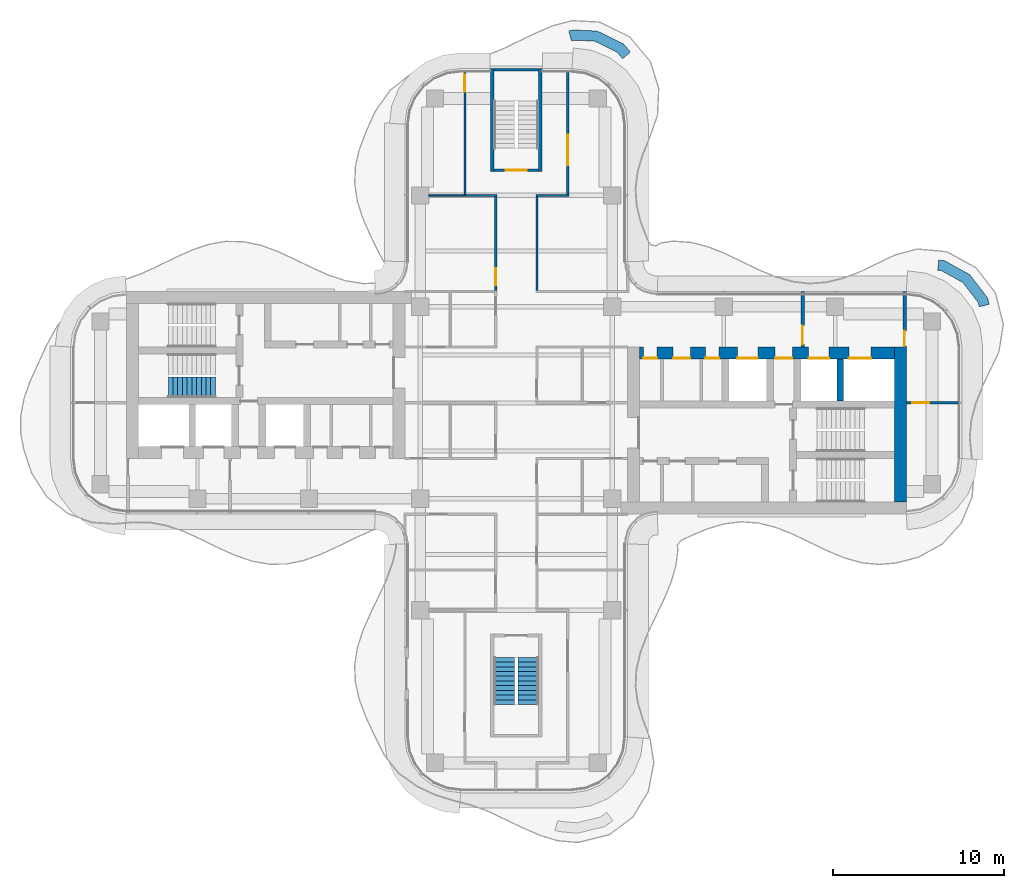
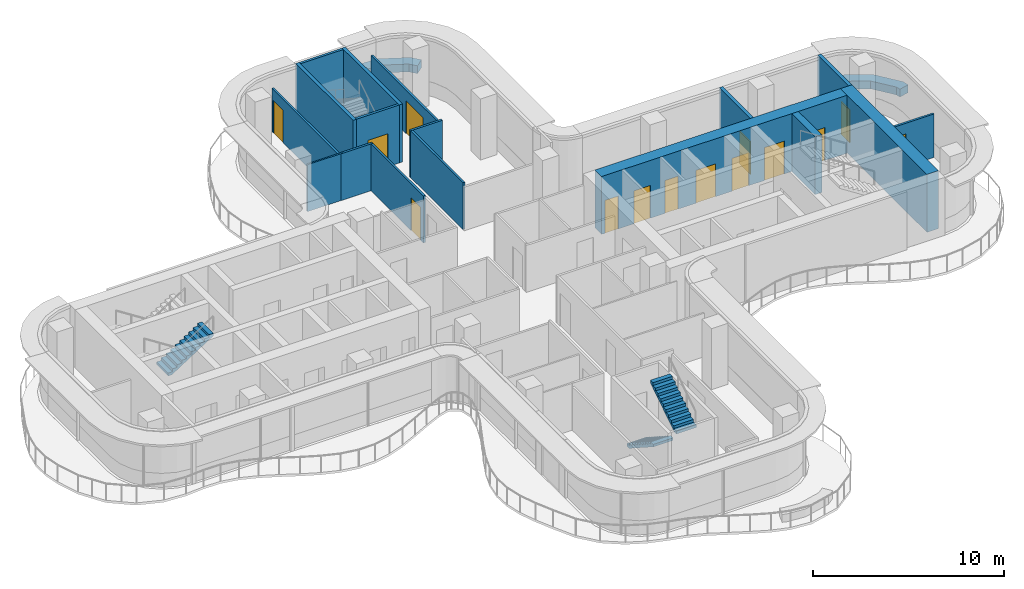
# One storey, part 13 of 16: 19 walls, 14 doors, 3 stair flights, 14 openings, 2 elements without a shape of their own.
"""IFC4 building model written with IfcOpenShell, lengths in metres."""

from ifc_helpers import new_model, si_unit, direction, frame, frame_2d, origin, place, context, subcontext, project, spatial, polyline, rectangle, outline, extrude, source, transform, mapped, material, layer, layer_set, type_object, element, fill, aggregate, save


model = new_model("IFC4")

# Units and contexts
model_context = context("Model", 3, precision=1e-05, world=origin(), true_north=direction((0.0, 1.0)))
body_context = subcontext(model_context, "Body", "Model", "MODEL_VIEW")
ifc_project = project(units=[si_unit("LENGTHUNIT", "METRE"), si_unit("AREAUNIT", "SQUARE_METRE"), si_unit("VOLUMEUNIT", "CUBIC_METRE"), si_unit("PLANEANGLEUNIT", "RADIAN"), si_unit("MASSUNIT", "GRAM", prefix="KILO")], contexts=[model_context])

# Site, building, storey
site_placement = place(None, origin())
site = spatial("IfcSite", under=ifc_project, at=site_placement, CompositionType="ELEMENT")
building_placement = place(site_placement, origin())
building = spatial("IfcBuilding", under=site, at=building_placement, Name="Trellis Farm Tower", CompositionType="ELEMENT")
storey_placement = place(building_placement, frame((0.0, 0.0, 306.699951171875)))
storey = spatial("IfcBuildingStorey", under=building, at=storey_placement, Name="L69", CompositionType="ELEMENT", Elevation=306.699951171875)

# Walls
ifc_material_1 = material(Name="Sandstone faced masonry planter", Category="masonry")
ifc_layer_1 = layer(ifc_material_1, 0.60009765625)
ifc_layer_set_1 = layer_set([ifc_layer_1], Name="PLANTER BED 600")
wall_type_1 = type_object("IfcWallType", Name="PLANTER BED 600", PredefinedType="USERDEFINED", material=ifc_layer_set_1)
placement = place(storey_placement, origin())
element("IfcWall", 1, at=placement, inside=storey, type_object=wall_type_1, Name="PLANTER bed", ObjectType="PLANTER", PredefinedType="USERDEFINED", context=body_context, shape_type="SweptSolid", body=[
    extrude(outline(polyline([(3.291748046875, 21.752197265625), (4.723388671875, 21.68701171875), (6.259521484375, 20.930419921875), (6.65771484375, 20.461181640625), (6.200439453125, 20.07275390625), (5.882568359375, 20.447021484375), (4.57080078125, 21.09326171875), (3.3583984375, 21.148681640625), (3.218017578125, 21.110595703125), (3.060546875, 21.689453125), (3.291748046875, 21.752197265625)])), origin(), (0.0, 0.0, 1.0), 0.5),
])
element("IfcWall", 2, at=placement, inside=storey, type_object=wall_type_1, Name="PLANTER bed", ObjectType="PLANTER", PredefinedType="USERDEFINED", context=body_context, shape_type="SweptSolid", body=[
    extrude(outline(polyline([(26.451171875, 7.477783203125), (27.491455078125, 6.126708984375), (27.58349609375, 5.740234375), (26.99951171875, 5.601318359375), (26.9375, 5.86279296875), (26.0517578125, 7.01318359375), (24.80859375, 7.701416015625), (24.580322265625, 7.724853515625), (24.64208984375, 8.32177734375), (24.991943359375, 8.28564453125), (26.451171875, 7.477783203125)])), origin(), (0.0, 0.0, 1.0), 0.5),
])
ifc_material_2 = material(Name="Concrete C50/60", Category="concrete")
ifc_layer_2 = layer(ifc_material_2, 0.699951171875)
ifc_layer_set_2 = layer_set([ifc_layer_2], Name="CORE OUTER WALL 700 CONCRETE C50/60")
wall_type_2 = type_object("IfcWallType", Name="CORE OUTER WALL 700 CONCRETE C50/60", PredefinedType="SHEAR", material=ifc_layer_set_2)
shared_shape_1 = source(origin(), body_context, "Body", "SweptSolid", [
    extrude(rectangle(XDim=9.050048828125, YDim=0.699951171875, at=frame_2d((4.52490234375, 0.0))), origin(), (0.0, 0.0, 1.0), 3.699951171875),
])
wall_3_placement = place(storey_placement, frame((22.39990234375, -5.800048828125, 0.0), z_axis=(0.0, 0.0, 1.0), x_axis=(0.0, 1.0, 0.0)))
element("IfcWall", 3, at=wall_3_placement, inside=storey, type_object=wall_type_2, Name="Core wall", PredefinedType="SHEAR", context=body_context, shape_type="MappedRepresentation", body=[
    mapped(shared_shape_1, transform((0.0, 0.0, 0.0))),
])
ifc_layer_3 = layer(ifc_material_2, 0.39990234375)
ifc_layer_set_3 = layer_set([ifc_layer_3], Name="CORE INNER WALL 400 CONCRETE C50/60")
wall_type_3 = type_object("IfcWallType", Name="CORE INNER WALL 400 CONCRETE C50/60", PredefinedType="SHEAR", material=ifc_layer_set_3)
shared_shape_2 = source(origin(), body_context, "Body", "SweptSolid", [
    extrude(rectangle(XDim=2.449951171875, YDim=0.39990234375, at=frame_2d((1.22509765625, 0.0))), origin(), (0.0, 0.0, 1.0), 3.699951171875),
])
wall_4_placement = place(storey_placement, frame((18.89990234375, 0.10009765625, 0.0), z_axis=(0.0, 0.0, 1.0), x_axis=(0.0, 1.0, 0.0)))
element("IfcWall", 4, at=wall_4_placement, inside=storey, type_object=wall_type_3, Name="Core wall", PredefinedType="SHEAR", context=body_context, shape_type="MappedRepresentation", body=[
    mapped(shared_shape_2, transform((0.0, 0.0, 0.0))),
])

# Wall, opening, door
ifc_material_3 = material(Name="Masonry blockwork", Category="masonry")
ifc_layer_4 = layer(ifc_material_3, 0.199951171875)
ifc_layer_set_4 = layer_set([ifc_layer_4], Name="FIRE LOBBY PARTITION 200 BLOCKWORK")
wall_type_4 = type_object("IfcWallType", Name="FIRE LOBBY PARTITION 200 BLOCKWORK", PredefinedType="PARTITIONING", material=ifc_layer_set_4)
shared_shape_3 = source(origin(), body_context, "Body", "SweptSolid", [
    extrude(rectangle(XDim=3.25, YDim=0.199951171875, at=frame_2d((1.625, 0.0))), origin(), (0.0, 0.0, 1.0), 3.699951171875),
])
wall_5_placement = place(storey_placement, frame((16.699951171875, 3.25, 0.0), z_axis=(0.0, 0.0, 1.0), x_axis=(0.0, 1.0, 0.0)))
wall_5 = element("IfcWall", 5, at=wall_5_placement, inside=storey, type_object=wall_type_4, Name="Fire-fighting lobby partition", PredefinedType="PARTITIONING", context=body_context, shape_type="MappedRepresentation", body=[
    mapped(shared_shape_3, transform((0.0, 0.0, 0.0))),
])
shared_shape_4 = source(origin(), body_context, "Body", "SweptSolid", [
    extrude(rectangle(XDim=1.10009765625, YDim=2.10009765625, at=frame_2d((0.550048828125, 1.050048828125))), frame((0.0, 0.110107421875, 0.0), z_axis=(0.0, -1.0, 0.0), x_axis=(1.0, 0.0, 0.0)), (0.0, 0.0, 1.0), 0.22021484375),
])
opening_1_placement = place(wall_5_placement, frame((0.14990234375, 0.0, 0.0)))
opening_1 = element("IfcOpeningElement", 6, at=opening_1_placement, cuts=wall_5, Name="Opening DC7", PredefinedType="OPENING", context=body_context, shape_type="MappedRepresentation", body=[
    mapped(shared_shape_4, transform((0.0, 0.0, 0.0))),
])
ifc_material_4 = material(Name="Steel", Category="steel")
door_type_1 = type_object("IfcDoorType", Name="CORE FIRE DOOR 1100 X 2100", OperationType="NOTDEFINED", PredefinedType="DOOR", material=ifc_material_4)
shared_shape_5 = source(origin(), body_context, "Body", "SweptSolid", [
    extrude(rectangle(XDim=1.10009765625, YDim=2.10009765625, at=frame_2d((0.550048828125, 1.050048828125))), frame((0.0, 0.02490234375, 0.0), z_axis=(0.0, -1.0, 0.0), x_axis=(1.0, 0.0, 0.0)), (0.0, 0.0, 1.0), 0.050048828125),
])
door_1_placement = place(opening_1_placement, origin())
door_1 = element("IfcDoor", 7, at=door_1_placement, inside=storey, type_object=door_type_1, Name="Core door", OperationType="SINGLE_SWING_RIGHT", OverallHeight=2.10009765625, OverallWidth=1.10009765625, PredefinedType="DOOR", context=body_context, shape_type="MappedRepresentation", body=[
    mapped(shared_shape_5, transform((0.0, 0.0, 0.0))),
])
fill(opening_1, door_1)

wall_6_placement = place(storey_placement, frame((22.64990234375, 3.25, 0.0), z_axis=(0.0, 0.0, 1.0), x_axis=(0.0, 1.0, 0.0)))
wall_6 = element("IfcWall", 8, at=wall_6_placement, inside=storey, type_object=wall_type_4, Name="Fire-fighting lobby partition", PredefinedType="PARTITIONING", context=body_context, shape_type="MappedRepresentation", body=[
    mapped(shared_shape_3, transform((0.0, 0.0, 0.0))),
])
shared_shape_6 = source(origin(), body_context, "Body", "SweptSolid", [
    extrude(rectangle(XDim=0.89990234375, YDim=2.10009765625, at=frame_2d((0.449951171875, 1.050048828125))), frame((0.0, 0.110107421875, 0.0), z_axis=(0.0, -1.0, 0.0), x_axis=(1.0, 0.0, 0.0)), (0.0, 0.0, 1.0), 0.22021484375),
])
opening_2_placement = place(wall_6_placement, frame((0.050048828125, 0.0, 0.0)))
opening_2 = element("IfcOpeningElement", 9, at=opening_2_placement, cuts=wall_6, Name="Opening DC8", PredefinedType="OPENING", context=body_context, shape_type="MappedRepresentation", body=[
    mapped(shared_shape_6, transform((0.0, 0.0, 0.0))),
])
door_type_2 = type_object("IfcDoorType", Name="CORE FIRE DOOR 900 X 2100", OperationType="NOTDEFINED", PredefinedType="DOOR", material=ifc_material_4)
shared_shape_7 = source(origin(), body_context, "Body", "SweptSolid", [
    extrude(rectangle(XDim=0.89990234375, YDim=2.10009765625, at=frame_2d((0.449951171875, 1.050048828125))), frame((0.0, 0.02490234375, 0.0), z_axis=(0.0, -1.0, 0.0), x_axis=(1.0, 0.0, 0.0)), (0.0, 0.0, 1.0), 0.050048828125),
])
door_2_placement = place(opening_2_placement, origin())
door_2 = element("IfcDoor", 10, at=door_2_placement, inside=storey, type_object=door_type_2, Name="Core door", OperationType="SINGLE_SWING_RIGHT", OverallHeight=2.10009765625, OverallWidth=0.89990234375, PredefinedType="DOOR", context=body_context, shape_type="MappedRepresentation", body=[
    mapped(shared_shape_7, transform((0.0, 0.0, 0.0))),
])
fill(opening_2, door_2)

# Wall, openings, doors
shared_shape_8 = source(origin(), body_context, "Body", "SweptSolid", [
    extrude(rectangle(XDim=14.85009765625, YDim=0.699951171875, at=frame_2d((7.425048828125, 0.0))), origin(), (0.0, 0.0, 1.0), 3.699951171875),
])
wall_7_placement = place(storey_placement, frame((7.199951171875, 2.89990234375, 0.0), z_axis=(0.0, 0.0, 1.0), x_axis=(1.0, 0.0, 0.0)))
wall_7 = element("IfcWall", 11, at=wall_7_placement, inside=storey, type_object=wall_type_2, Name="Core wall", PredefinedType="SHEAR", context=body_context, shape_type="MappedRepresentation", body=[
    mapped(shared_shape_8, transform((0.0, 0.0, 0.0))),
])
shared_shape_9 = source(origin(), body_context, "Body", "SweptSolid", [
    extrude(rectangle(XDim=1.199951171875, YDim=2.10009765625, at=frame_2d((0.60009765625, 1.050048828125))), frame((0.0, 0.360107421875, 0.0), z_axis=(0.0, -1.0, 0.0), x_axis=(1.0, 0.0, 0.0)), (0.0, 0.0, 1.0), 0.72021484375),
])
opening_3_placement = place(wall_7_placement, frame((5.699951171875, 0.0, 0.0)))
opening_3 = element("IfcOpeningElement", 12, at=opening_3_placement, cuts=wall_7, Name="Opening LD6", PredefinedType="OPENING", context=body_context, shape_type="MappedRepresentation", body=[
    mapped(shared_shape_9, transform((0.0, 0.0, 0.0))),
])
shared_shape_10 = source(origin(), body_context, "Body", "SweptSolid", [
    extrude(rectangle(XDim=1.300048828125, YDim=2.10009765625, at=frame_2d((0.64990234375, 1.050048828125))), frame((0.0, 0.360107421875, 0.0), z_axis=(0.0, -1.0, 0.0), x_axis=(1.0, 0.0, 0.0)), (0.0, 0.0, 1.0), 0.72021484375),
])
opening_4_placement = place(wall_7_placement, frame((12.199951171875, 0.0, 0.0)))
opening_4 = element("IfcOpeningElement", 13, at=opening_4_placement, cuts=wall_7, Name="Opening LD7", PredefinedType="OPENING", context=body_context, shape_type="MappedRepresentation", body=[
    mapped(shared_shape_10, transform((0.0, 0.0, 0.0))),
])
opening_5_placement = place(wall_7_placement, frame((9.85009765625, 0.0, 0.0)))
opening_5 = element("IfcOpeningElement", 14, at=opening_5_placement, cuts=wall_7, Name="Opening LD8", PredefinedType="OPENING", context=body_context, shape_type="MappedRepresentation", body=[
    mapped(shared_shape_9, transform((0.0, 0.0, 0.0))),
])
shared_shape_11 = source(origin(), body_context, "Body", "SweptSolid", [
    extrude(rectangle(XDim=1.0, YDim=2.10009765625, at=frame_2d((0.5, 1.050048828125))), frame((0.0, 0.360107421875, 0.0), z_axis=(0.0, -1.0, 0.0), x_axis=(1.0, 0.0, 0.0)), (0.0, 0.0, 1.0), 0.72021484375),
])
opening_6_placement = place(wall_7_placement, frame((7.89990234375, 0.0, 0.0)))
opening_6 = element("IfcOpeningElement", 15, at=opening_6_placement, cuts=wall_7, Name="Opening DC6", PredefinedType="OPENING", context=body_context, shape_type="MappedRepresentation", body=[
    mapped(shared_shape_11, transform((0.0, 0.0, 0.0))),
])
shared_shape_12 = source(origin(), body_context, "Body", "SweptSolid", [
    extrude(rectangle(XDim=0.800048828125, YDim=2.10009765625, at=frame_2d((0.39990234375, 1.050048828125))), frame((0.0, 0.360107421875, 0.0), z_axis=(0.0, -1.0, 0.0), x_axis=(1.0, 0.0, 0.0)), (0.0, 0.0, 1.0), 0.72021484375),
])
opening_7_placement = place(wall_7_placement, frame((0.21240234375, 0.0, 0.0)))
opening_7 = element("IfcOpeningElement", 16, at=opening_7_placement, cuts=wall_7, Name="Opening DC10", PredefinedType="OPENING", context=body_context, shape_type="MappedRepresentation", body=[
    mapped(shared_shape_12, transform((0.0, 0.0, 0.0))),
])
opening_8_placement = place(wall_7_placement, frame((1.949951171875, 0.0, 0.0)))
opening_8 = element("IfcOpeningElement", 17, at=opening_8_placement, cuts=wall_7, Name="Opening DC19", PredefinedType="OPENING", context=body_context, shape_type="MappedRepresentation", body=[
    mapped(shared_shape_11, transform((0.0, 0.0, 0.0))),
])
opening_9_placement = place(wall_7_placement, frame((3.83740234375, 0.0, 0.0)))
opening_9 = element("IfcOpeningElement", 18, at=opening_9_placement, cuts=wall_7, Name="Opening DC22", PredefinedType="OPENING", context=body_context, shape_type="MappedRepresentation", body=[
    mapped(shared_shape_12, transform((0.0, 0.0, 0.0))),
])
door_type_3 = type_object("IfcDoorType", Name="CORE FIRE DOOR 1000 X 2100", OperationType="NOTDEFINED", PredefinedType="DOOR", material=ifc_material_4)
shared_shape_13 = source(origin(), body_context, "Body", "SweptSolid", [
    extrude(rectangle(XDim=1.0, YDim=2.10009765625, at=frame_2d((0.5, 1.050048828125))), frame((0.0, -0.27490234375, 0.0), z_axis=(0.0, -1.0, 0.0), x_axis=(1.0, 0.0, 0.0)), (0.0, 0.0, 1.0), 0.050048828125),
])
door_3_placement = place(opening_6_placement, origin())
door_3 = element("IfcDoor", 19, at=door_3_placement, inside=storey, type_object=door_type_3, Name="Core door", OperationType="SINGLE_SWING_LEFT", OverallHeight=2.10009765625, OverallWidth=1.0, PredefinedType="DOOR", context=body_context, shape_type="MappedRepresentation", body=[
    mapped(shared_shape_13, transform((0.0, 0.0, 0.0))),
])
fill(opening_6, door_3)
door_4_placement = place(opening_8_placement, origin())
door_4 = element("IfcDoor", 20, at=door_4_placement, inside=storey, type_object=door_type_3, Name="Core door", OperationType="SINGLE_SWING_LEFT", OverallHeight=2.10009765625, OverallWidth=1.0, PredefinedType="DOOR", context=body_context, shape_type="MappedRepresentation", body=[
    mapped(shared_shape_13, transform((0.0, 0.0, 0.0))),
])
fill(opening_8, door_4)
ifc_material_5 = material(Name="Stainless steel", Category="steel")
door_type_4 = type_object("IfcDoorType", Name="LIFT LANDING DOOR 1300 X 2100", OperationType="DOUBLE_DOOR_SLIDING", PredefinedType="DOOR", material=ifc_material_5)
shared_shape_14 = source(origin(), body_context, "Body", "SweptSolid", [
    extrude(rectangle(XDim=1.300048828125, YDim=2.10009765625, at=frame_2d((0.64990234375, 1.050048828125))), frame((0.0, -0.27490234375, 0.0), z_axis=(0.0, -1.0, 0.0), x_axis=(1.0, 0.0, 0.0)), (0.0, 0.0, 1.0), 0.050048828125),
])
door_5_placement = place(opening_4_placement, origin())
door_5 = element("IfcDoor", 21, at=door_5_placement, inside=storey, type_object=door_type_4, Name="Lift landing door", OperationType="DOUBLE_DOOR_SLIDING", OverallHeight=2.10009765625, OverallWidth=1.300048828125, PredefinedType="DOOR", context=body_context, shape_type="MappedRepresentation", body=[
    mapped(shared_shape_14, transform((0.0, 0.0, 0.0))),
])
fill(opening_4, door_5)
door_type_5 = type_object("IfcDoorType", Name="LIFT LANDING DOOR 1200 X 2100", OperationType="DOUBLE_DOOR_SLIDING", PredefinedType="DOOR", material=ifc_material_5)
shared_shape_15 = source(origin(), body_context, "Body", "SweptSolid", [
    extrude(rectangle(XDim=1.199951171875, YDim=2.10009765625, at=frame_2d((0.60009765625, 1.050048828125))), frame((0.0, -0.27490234375, 0.0), z_axis=(0.0, -1.0, 0.0), x_axis=(1.0, 0.0, 0.0)), (0.0, 0.0, 1.0), 0.050048828125),
])
door_6_placement = place(opening_3_placement, origin())
door_6 = element("IfcDoor", 22, at=door_6_placement, inside=storey, type_object=door_type_5, Name="Lift landing door", OperationType="DOUBLE_DOOR_SLIDING", OverallHeight=2.10009765625, OverallWidth=1.199951171875, PredefinedType="DOOR", context=body_context, shape_type="MappedRepresentation", body=[
    mapped(shared_shape_15, transform((0.0, 0.0, 0.0))),
])
fill(opening_3, door_6)
door_7_placement = place(opening_5_placement, origin())
door_7 = element("IfcDoor", 23, at=door_7_placement, inside=storey, type_object=door_type_5, Name="Lift landing door", OperationType="DOUBLE_DOOR_SLIDING", OverallHeight=2.10009765625, OverallWidth=1.199951171875, PredefinedType="DOOR", context=body_context, shape_type="MappedRepresentation", body=[
    mapped(shared_shape_15, transform((0.0, 0.0, 0.0))),
])
fill(opening_5, door_7)
door_type_6 = type_object("IfcDoorType", Name="CORE FIRE DOOR 800 X 2100", OperationType="NOTDEFINED", PredefinedType="DOOR", material=ifc_material_4)
shared_shape_16 = source(origin(), body_context, "Body", "SweptSolid", [
    extrude(rectangle(XDim=0.800048828125, YDim=2.10009765625, at=frame_2d((0.39990234375, 1.050048828125))), frame((0.0, -0.27490234375, 0.0), z_axis=(0.0, -1.0, 0.0), x_axis=(1.0, 0.0, 0.0)), (0.0, 0.0, 1.0), 0.050048828125),
])
door_8_placement = place(opening_7_placement, origin())
door_8 = element("IfcDoor", 24, at=door_8_placement, inside=storey, type_object=door_type_6, Name="Core door", OperationType="SINGLE_SWING_RIGHT", OverallHeight=2.10009765625, OverallWidth=0.800048828125, PredefinedType="DOOR", context=body_context, shape_type="MappedRepresentation", body=[
    mapped(shared_shape_16, transform((0.0, 0.0, 0.0))),
])
fill(opening_7, door_8)
door_9_placement = place(opening_9_placement, origin())
door_9 = element("IfcDoor", 25, at=door_9_placement, inside=storey, type_object=door_type_6, Name="Core door", OperationType="SINGLE_SWING_RIGHT", OverallHeight=2.10009765625, OverallWidth=0.800048828125, PredefinedType="DOOR", context=body_context, shape_type="MappedRepresentation", body=[
    mapped(shared_shape_16, transform((0.0, 0.0, 0.0))),
])
fill(opening_9, door_9)

# Walls
ifc_layer_5 = layer(ifc_material_2, 0.199951171875)
ifc_layer_set_5 = layer_set([ifc_layer_5], Name="CORE STAIR ENCLOSURE WALL 200 CONCRETE C50/60")
wall_type_5 = type_object("IfcWallType", Name="CORE STAIR ENCLOSURE WALL 200 CONCRETE C50/60", PredefinedType="SHEAR", material=ifc_layer_set_5)
shared_shape_17 = source(origin(), body_context, "Body", "SweptSolid", [
    extrude(rectangle(XDim=6.0, YDim=0.199951171875, at=frame_2d((3.0, 0.0))), origin(), (0.0, 0.0, 1.0), 3.699951171875),
])
for number, where, z_axis, x_axis, name in (
    (26, (-1.39990234375, 13.5, 0.0), (0.0, 0.0, 1.0), (0.0, 1.0, 0.0), "Stair enclosure wall"),
    (27, (1.39990234375, 13.5, 0.0), (0.0, 0.0, 1.0), (0.0, 1.0, 0.0), "Stair enclosure wall"),
):
    element("IfcWall", number, at=place(storey_placement, frame(where, z_axis=z_axis, x_axis=x_axis)), inside=storey, type_object=wall_type_5, Name=name, PredefinedType="SHEAR", context=body_context, shape_type="MappedRepresentation", body=[
        mapped(shared_shape_17, transform((0.0, 0.0, 0.0))),
    ])

# Wall, opening, door
ifc_layer_6 = layer(ifc_material_2, 0.14990234375)
ifc_layer_set_6 = layer_set([ifc_layer_6], Name="CORE STAIR ENCLOSURE WALL 150 CONCRETE C50/60")
wall_type_6 = type_object("IfcWallType", Name="CORE STAIR ENCLOSURE WALL 150 CONCRETE C50/60", PredefinedType="SHEAR", material=ifc_layer_set_6)
shared_shape_18 = source(origin(), body_context, "Body", "SweptSolid", [
    extrude(rectangle(XDim=2.60009765625, YDim=0.14990234375, at=frame_2d((1.300048828125, 0.0))), origin(), (0.0, 0.0, 1.0), 3.699951171875),
])
wall_8_placement = place(storey_placement, frame((-1.300048828125, 13.574951171875, 0.0), z_axis=(0.0, 0.0, 1.0), x_axis=(1.0, 0.0, 0.0)))
wall_8 = element("IfcWall", 28, at=wall_8_placement, inside=storey, type_object=wall_type_6, Name="Stair enclosure wall", PredefinedType="SHEAR", context=body_context, shape_type="MappedRepresentation", body=[
    mapped(shared_shape_18, transform((0.0, 0.0, 0.0))),
])
shared_shape_19 = source(origin(), body_context, "Body", "SweptSolid", [
    extrude(rectangle(XDim=1.199951171875, YDim=2.10009765625, at=frame_2d((0.60009765625, 1.050048828125))), frame((0.0, 0.0849609375, 0.0), z_axis=(0.0, -1.0, 0.0), x_axis=(1.0, 0.0, 0.0)), (0.0, 0.0, 1.0), 0.169921875),
])
opening_10_placement = place(wall_8_placement, frame((0.699951171875, 0.0, 0.0)))
opening_10 = element("IfcOpeningElement", 29, at=opening_10_placement, cuts=wall_8, Name="Opening DC173", PredefinedType="OPENING", context=body_context, shape_type="MappedRepresentation", body=[
    mapped(shared_shape_19, transform((0.0, 0.0, 0.0))),
])
door_type_7 = type_object("IfcDoorType", Name="CORE FIRE DOOR 1200 X 2100", OperationType="NOTDEFINED", PredefinedType="DOOR", material=ifc_material_4)
shared_shape_20 = source(origin(), body_context, "Body", "SweptSolid", [
    extrude(rectangle(XDim=1.199951171875, YDim=2.10009765625, at=frame_2d((0.60009765625, 1.050048828125))), frame((0.0, 0.02490234375, 0.0), z_axis=(0.0, -1.0, 0.0), x_axis=(1.0, 0.0, 0.0)), (0.0, 0.0, 1.0), 0.050048828125),
])
door_10_placement = place(opening_10_placement, origin())
door_10 = element("IfcDoor", 30, at=door_10_placement, inside=storey, type_object=door_type_7, Name="Core door", OperationType="SINGLE_SWING_LEFT", OverallHeight=2.10009765625, OverallWidth=1.199951171875, PredefinedType="DOOR", context=body_context, shape_type="MappedRepresentation", body=[
    mapped(shared_shape_20, transform((0.0, 0.0, 0.0))),
])
fill(opening_10, door_10)

# Walls
wall_9_placement = place(storey_placement, frame((-1.300048828125, 19.425048828125, 0.0), z_axis=(0.0, 0.0, 1.0), x_axis=(1.0, 0.0, 0.0)))
element("IfcWall", 31, at=wall_9_placement, inside=storey, type_object=wall_type_6, Name="Stair enclosure wall", PredefinedType="SHEAR", context=body_context, shape_type="MappedRepresentation", body=[
    mapped(shared_shape_18, transform((0.0, 0.0, 0.0))),
])
ifc_material_6 = material(Name="Plasterboard on steel studs, mineral wool", Category="steel")
ifc_layer_7 = layer(ifc_material_6, 0.125)
ifc_layer_set_7 = layer_set([ifc_layer_7], Name="PARTITION 125 STUD EI 60")
wall_type_7 = type_object("IfcWallType", Name="PARTITION 125 STUD EI 60", PredefinedType="PARTITIONING", material=ifc_layer_set_7)
shared_shape_21 = source(origin(), body_context, "Body", "SweptSolid", [
    extrude(rectangle(XDim=5.47509765625, YDim=0.125, at=frame_2d((2.737548828125, 0.0))), origin(), (0.0, 0.0, 1.0), 2.99658203125),
])
wall_10_placement = place(storey_placement, frame((1.199951171875, 12.03759765625, 0.0), z_axis=(0.0, 0.0, 1.0), x_axis=(0.0, -1.0, 0.0)))
element("IfcWall", 32, at=wall_10_placement, inside=storey, type_object=wall_type_7, Name="Partition PW1", PredefinedType="PARTITIONING", context=body_context, shape_type="MappedRepresentation", body=[
    mapped(shared_shape_21, transform((0.0, 0.0, 0.0))),
])
shared_shape_22 = source(origin(), body_context, "Body", "SweptSolid", [
    extrude(rectangle(XDim=1.925048828125, YDim=0.125, at=frame_2d((0.96240234375, 0.0))), origin(), (0.0, 0.0, 1.0), 2.99658203125),
])
for number, where, z_axis, x_axis, name in (
    (33, (-1.137451171875, 12.10009765625, 0.0), (0.0, 0.0, 1.0), (-1.0, 0.0, 0.0), "Partition PW1"),
    (34, (3.0625, 12.10009765625, 0.0), (0.0, 0.0, 1.0), (-1.0, 0.0, 0.0), "Partition PW1"),
):
    element("IfcWall", number, at=place(storey_placement, frame(where, z_axis=z_axis, x_axis=x_axis)), inside=storey, type_object=wall_type_7, Name=name, PredefinedType="PARTITIONING", context=body_context, shape_type="MappedRepresentation", body=[
        mapped(shared_shape_22, transform((0.0, 0.0, 0.0))),
    ])

# Wall, opening, door
shared_shape_23 = source(origin(), body_context, "Body", "SweptSolid", [
    extrude(rectangle(XDim=3.050048828125, YDim=0.125, at=frame_2d((1.52490234375, 0.0))), origin(), (0.0, 0.0, 1.0), 2.780029296875),
])
wall_11_placement = place(storey_placement, frame((25.800048828125, 0.0, 0.0), z_axis=(0.0, 0.0, 1.0), x_axis=(-1.0, 0.0, 0.0)))
wall_11 = element("IfcWall", 35, at=wall_11_placement, inside=storey, type_object=wall_type_7, Name="Partition PW1", PredefinedType="PARTITIONING", context=body_context, shape_type="MappedRepresentation", body=[
    mapped(shared_shape_23, transform((0.0, 0.0, 0.0))),
])
shared_shape_24 = source(origin(), body_context, "Body", "SweptSolid", [
    extrude(rectangle(XDim=1.0, YDim=2.10009765625, at=frame_2d((0.5, 1.050048828125))), frame((0.0, 0.072509765625, 0.0), z_axis=(0.0, -1.0, 0.0), x_axis=(1.0, 0.0, 0.0)), (0.0, 0.0, 1.0), 0.14501953125),
])
opening_11_placement = place(wall_11_placement, frame((1.699951171875, 0.0, 0.0)))
opening_11 = element("IfcOpeningElement", 36, at=opening_11_placement, cuts=wall_11, Name="Opening D110", PredefinedType="OPENING", context=body_context, shape_type="MappedRepresentation", body=[
    mapped(shared_shape_24, transform((0.0, 0.0, 0.0))),
])
ifc_material_7 = material(Name="Fire-rated timber door leaf in a hollow metal frame", Category="wood")
door_type_8 = type_object("IfcDoorType", Name="DOOR 1000x2100 FD30S", OperationType="NOTDEFINED", PredefinedType="DOOR", material=ifc_material_7)
shared_shape_25 = source(origin(), body_context, "Body", "SweptSolid", [
    extrude(rectangle(XDim=1.0, YDim=2.10009765625, at=frame_2d((0.5, 1.050048828125))), frame((0.0, 0.02490234375, 0.0), z_axis=(0.0, -1.0, 0.0), x_axis=(1.0, 0.0, 0.0)), (0.0, 0.0, 1.0), 0.050048828125),
])
door_11_placement = place(opening_11_placement, origin())
door_11 = element("IfcDoor", 37, at=door_11_placement, inside=storey, type_object=door_type_8, Name="Door D110", OperationType="SINGLE_SWING_RIGHT", OverallHeight=2.10009765625, OverallWidth=1.0, PredefinedType="DOOR", context=body_context, shape_type="MappedRepresentation", body=[
    mapped(shared_shape_25, transform((0.0, 0.0, 0.0))),
])
fill(opening_11, door_11)

# Wall
ifc_material_8 = material(Name="Plasterboard on steel studs", Category="steel")
ifc_layer_8 = layer(ifc_material_8, 0.10009765625)
ifc_layer_set_8 = layer_set([ifc_layer_8], Name="PARTITION 100 STUD EI 30")
wall_type_8 = type_object("IfcWallType", Name="PARTITION 100 STUD EI 30", PredefinedType="PARTITIONING", material=ifc_layer_set_8)
shared_shape_26 = source(origin(), body_context, "Body", "SweptSolid", [
    extrude(rectangle(XDim=2.16259765625, YDim=0.10009765625, at=frame_2d((1.081298828125, 0.0))), origin(), (0.0, 0.0, 1.0), 2.99658203125),
])
wall_12_placement = place(storey_placement, frame((-5.10009765625, 12.10009765625, 0.0), z_axis=(0.0, 0.0, 1.0), x_axis=(1.0, 0.0, 0.0)))
element("IfcWall", 38, at=wall_12_placement, inside=storey, type_object=wall_type_8, Name="Partition PW2", PredefinedType="PARTITIONING", context=body_context, shape_type="MappedRepresentation", body=[
    mapped(shared_shape_26, transform((0.0, 0.0, 0.0))),
])

# Wall, opening, door
shared_shape_27 = source(origin(), body_context, "Body", "SweptSolid", [
    extrude(rectangle(XDim=7.150146484375, YDim=0.125, at=frame_2d((3.5751953125, 0.0))), origin(), (0.0, 0.0, 1.0), 2.780029296875),
])
wall_13_placement = place(storey_placement, frame((-3.0, 12.14990234375, 0.0), z_axis=(0.0, 0.0, 1.0), x_axis=(0.0, 1.0, 0.0)))
wall_13 = element("IfcWall", 39, at=wall_13_placement, inside=storey, type_object=wall_type_7, Name="Partition PW1", PredefinedType="PARTITIONING", context=body_context, shape_type="MappedRepresentation", body=[
    mapped(shared_shape_27, transform((0.0, 0.0, 0.0))),
])
opening_12_placement = place(wall_13_placement, frame((6.0, 0.0, 0.0)))
opening_12 = element("IfcOpeningElement", 40, at=opening_12_placement, cuts=wall_13, Name="Opening D115", PredefinedType="OPENING", context=body_context, shape_type="MappedRepresentation", body=[
    mapped(shared_shape_24, transform((0.0, 0.0, 0.0))),
])
door_12_placement = place(opening_12_placement, origin())
door_12 = element("IfcDoor", 41, at=door_12_placement, inside=storey, type_object=door_type_8, Name="Door D115", OperationType="SINGLE_SWING_RIGHT", OverallHeight=2.10009765625, OverallWidth=1.0, PredefinedType="DOOR", context=body_context, shape_type="MappedRepresentation", body=[
    mapped(shared_shape_25, transform((0.0, 0.0, 0.0))),
])
fill(opening_12, door_12)

shared_shape_28 = source(origin(), body_context, "Body", "SweptSolid", [
    extrude(rectangle(XDim=5.487548828125, YDim=0.125, at=frame_2d((2.74365234375, 0.0))), origin(), (0.0, 0.0, 1.0), 2.99658203125),
])
wall_14_placement = place(storey_placement, frame((-1.199951171875, 6.550048828125, 0.0), z_axis=(0.0, 0.0, 1.0), x_axis=(0.0, 1.0, 0.0)))
wall_14 = element("IfcWall", 42, at=wall_14_placement, inside=storey, type_object=wall_type_7, Name="Partition PW1", PredefinedType="PARTITIONING", context=body_context, shape_type="MappedRepresentation", body=[
    mapped(shared_shape_28, transform((0.0, 0.0, 0.0))),
])
opening_13_placement = place(wall_14_placement, frame((0.300048828125, 0.0, 0.0)))
opening_13 = element("IfcOpeningElement", 43, at=opening_13_placement, cuts=wall_14, Name="Opening D114", PredefinedType="OPENING", context=body_context, shape_type="MappedRepresentation", body=[
    mapped(shared_shape_24, transform((0.0, 0.0, 0.0))),
])
door_13_placement = place(opening_13_placement, origin())
door_13 = element("IfcDoor", 44, at=door_13_placement, inside=storey, type_object=door_type_8, Name="Door D114", OperationType="SINGLE_SWING_LEFT", OverallHeight=2.10009765625, OverallWidth=1.0, PredefinedType="DOOR", context=body_context, shape_type="MappedRepresentation", body=[
    mapped(shared_shape_25, transform((0.0, 0.0, 0.0))),
])
fill(opening_13, door_13)

shared_shape_29 = source(origin(), body_context, "Body", "SweptSolid", [
    extrude(rectangle(XDim=7.137451171875, YDim=0.125, at=frame_2d((3.56884765625, 0.0))), origin(), (0.0, 0.0, 1.0), 2.780029296875),
])
wall_15_placement = place(storey_placement, frame((3.0, 19.300048828125, 0.0), z_axis=(0.0, 0.0, 1.0), x_axis=(0.0, -1.0, 0.0)))
wall_15 = element("IfcWall", 45, at=wall_15_placement, inside=storey, type_object=wall_type_7, Name="Partition PW1", PredefinedType="PARTITIONING", context=body_context, shape_type="MappedRepresentation", body=[
    mapped(shared_shape_29, transform((0.0, 0.0, 0.0))),
])
shared_shape_30 = source(origin(), body_context, "Body", "SweptSolid", [
    extrude(rectangle(XDim=1.800048828125, YDim=2.10009765625, at=frame_2d((0.89990234375, 1.050048828125))), frame((0.0, 0.072509765625, 0.0), z_axis=(0.0, -1.0, 0.0), x_axis=(1.0, 0.0, 0.0)), (0.0, 0.0, 1.0), 0.14501953125),
])
opening_14_placement = place(wall_15_placement, frame((3.64990234375, 0.0, 0.0)))
opening_14 = element("IfcOpeningElement", 46, at=opening_14_placement, cuts=wall_15, Name="Opening D202", PredefinedType="OPENING", context=body_context, shape_type="MappedRepresentation", body=[
    mapped(shared_shape_30, transform((0.0, 0.0, 0.0))),
])
door_type_9 = type_object("IfcDoorType", Name="DOOR PAIR 1800x2100 FD30S", OperationType="NOTDEFINED", PredefinedType="DOOR", material=ifc_material_7)
shared_shape_31 = source(origin(), body_context, "Body", "SweptSolid", [
    extrude(rectangle(XDim=1.800048828125, YDim=2.10009765625, at=frame_2d((0.89990234375, 1.050048828125))), frame((0.0, 0.02490234375, 0.0), z_axis=(0.0, -1.0, 0.0), x_axis=(1.0, 0.0, 0.0)), (0.0, 0.0, 1.0), 0.050048828125),
])
door_14_placement = place(opening_14_placement, origin())
door_14 = element("IfcDoor", 47, at=door_14_placement, inside=storey, type_object=door_type_9, Name="Door D202", OperationType="DOUBLE_DOOR_SINGLE_SWING", OverallHeight=2.10009765625, OverallWidth=1.800048828125, PredefinedType="DOOR", context=body_context, shape_type="MappedRepresentation", body=[
    mapped(shared_shape_31, transform((0.0, 0.0, 0.0))),
])
fill(opening_14, door_14)

# Stair, stair flights
stair_type = type_object("IfcStairType", Name="CORE EXIT STAIR 22 RISERS 177 MM", PredefinedType="HALF_TURN_STAIR", material=ifc_material_2)
stair_1 = element("IfcStair", 48, at=placement, inside=storey, type_object=stair_type, Name="Exit stair S", PredefinedType="HALF_TURN_STAIR")
stair_flight_type = type_object("IfcStairFlightType", Name="STAIR FLIGHT 11 RISERS 177 MM", PredefinedType="STRAIGHT", material=ifc_material_2)
shared_shape_32 = source(origin(), body_context, "Body", "SweptSolid", [
    extrude(outline(polyline([(0.0, 0.0), (0.0, 0.17724609375), (0.27490234375, 0.17724609375), (0.27490234375, 0.3544921875), (0.550048828125, 0.3544921875), (0.550048828125, 0.53173828125), (0.824951171875, 0.53173828125), (0.824951171875, 0.708984375), (1.10009765625, 0.708984375), (1.10009765625, 0.886474609375), (1.375, 0.886474609375), (1.375, 1.063720703125), (1.64990234375, 1.063720703125), (1.64990234375, 1.240966796875), (1.925048828125, 1.240966796875), (1.925048828125, 1.418212890625), (2.199951171875, 1.418212890625), (2.199951171875, 1.595458984375), (2.47509765625, 1.595458984375), (2.47509765625, 1.772705078125), (2.75, 1.772705078125), (2.75, 1.949951171875), (2.75, 1.6181640625), (0.23974609375, 0.0), (0.0, 0.0)])), frame((0.0, 0.60009765625, 0.0), z_axis=(0.0, -1.0, 0.0), x_axis=(1.0, 0.0, 0.0)), (0.0, 0.0, 1.0), 1.199951171875),
])
stair_flight_1_placement = place(storey_placement, frame((-0.699951171875, -14.85009765625, 0.0), z_axis=(0.0, 0.0, 1.0), x_axis=(0.0, -1.0, 0.0)))
stair_flight_1 = element("IfcStairFlight", 49, at=stair_flight_1_placement, type_object=stair_flight_type, Name="STS flight 1", NumberOfRisers=11, NumberOfTreads=10, PredefinedType="STRAIGHT", RiserHeight=0.177272727, TreadLength=0.275, context=body_context, shape_type="MappedRepresentation", body=[
    mapped(shared_shape_32, transform((0.0, 0.0, 0.0))),
])
stair_flight_2_placement = place(storey_placement, frame((0.699951171875, -17.60009765625, 1.949951171875), z_axis=(0.0, 0.0, 1.0), x_axis=(0.0, 1.0, 0.0)))
stair_flight_2 = element("IfcStairFlight", 50, at=stair_flight_2_placement, type_object=stair_flight_type, Name="STS flight 2", NumberOfRisers=11, NumberOfTreads=10, PredefinedType="STRAIGHT", RiserHeight=0.177272727, TreadLength=0.275, context=body_context, shape_type="MappedRepresentation", body=[
    mapped(shared_shape_32, transform((0.0, 0.0, 0.0))),
])
aggregate(stair_1, [stair_flight_1, stair_flight_2])

# Stair, stair flight
stair_2 = element("IfcStair", 51, at=placement, inside=storey, type_object=stair_type, Name="Exit stair W2", PredefinedType="HALF_TURN_STAIR")
stair_flight_3_placement = place(storey_placement, frame((-20.300048828125, 0.89990234375, 1.949951171875), z_axis=(0.0, 0.0, 1.0), x_axis=(1.0, 0.0, 0.0)))
stair_flight_3 = element("IfcStairFlight", 52, at=stair_flight_3_placement, type_object=stair_flight_type, Name="STW2 flight 2", NumberOfRisers=11, NumberOfTreads=10, PredefinedType="STRAIGHT", RiserHeight=0.177272727, TreadLength=0.275, context=body_context, shape_type="MappedRepresentation", body=[
    mapped(shared_shape_32, transform((0.0, 0.0, 0.0))),
])
aggregate(stair_2, [stair_flight_3])

save(model, "model.ifc")
